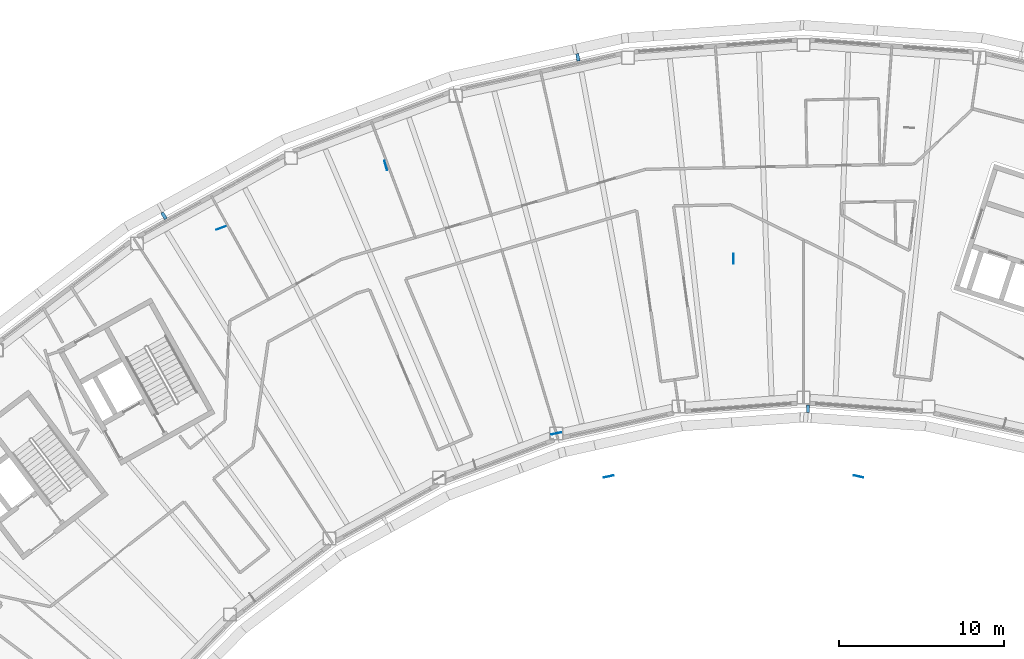
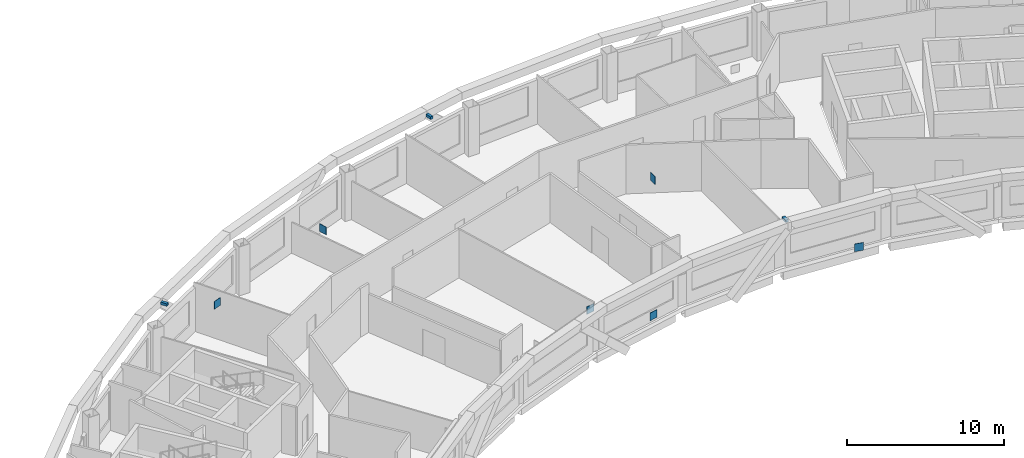
# One storey, part 14 of 21: 9 discrete accessories.
"""IFC4 building model written with IfcOpenShell, lengths in metres."""

from ifc_helpers import new_model, si_unit, direction, frame, origin, origin_2d, place, context, subcontext, project, spatial, rectangle, extrude, material, type_object, element, save


model = new_model("IFC4")

# Units and contexts
model_context = context("Model", 3, precision=1e-05, world=origin(), true_north=direction((0.0, 1.0)))
body_context = subcontext(model_context, "Body", "Model", "MODEL_VIEW")
ifc_project = project(units=[si_unit("LENGTHUNIT", "METRE"), si_unit("AREAUNIT", "SQUARE_METRE"), si_unit("VOLUMEUNIT", "CUBIC_METRE"), si_unit("PLANEANGLEUNIT", "RADIAN"), si_unit("MASSUNIT", "GRAM", prefix="KILO")], contexts=[model_context])

# Site, building, storey
site_placement = place(None, origin())
site = spatial("IfcSite", under=ifc_project, at=site_placement, CompositionType="ELEMENT")
building_placement = place(site_placement, origin())
building = spatial("IfcBuilding", under=site, at=building_placement, Name="Tuul Gate Civic Tower", CompositionType="ELEMENT")
storey_placement = place(building_placement, frame((0.0, 0.0, 273.60009765625)))
storey = spatial("IfcBuildingStorey", under=building, at=storey_placement, Name="Level 62", CompositionType="ELEMENT", Elevation=273.60009765625)

# Discrete accessories
ifc_material_1 = material(Name="Steel S355", Category="steel")
discrete_accessory_type_1 = type_object("IfcDiscreteAccessoryType", Name="Gusset plate", PredefinedType="BRACKET", material=ifc_material_1)
for number, where, z_axis, x_axis, name in (
    (1, (6.7880859375, 0.521484375, 2.79638671875), (0.0, 0.0, 1.0), (0.0, 1.0, 0.0), "Gusset plate"),
    (2, (-14.29052734375, 6.163330078125, 2.796630859375), (0.0, 0.0, 1.0), (0.285169103875, -0.958477220488, 0.0), "Gusset plate"),
    (3, (-24.276123046875, 2.38525390625, 2.796875), (0.0, 0.0, 1.0), (0.935355774535, 0.353708319162, 0.0), "Gusset plate"),
    (4, (14.360107421875, -12.6728515625, 2.796142578125), (0.0, 0.0, 1.0), (0.97656368755, -0.215228632292, 0.0), "Gusset plate"),
    (5, (-0.783935546875, -12.6728515625, 2.796142578125), (0.0, 0.0, 1.0), (-0.97656368755, -0.215228632292, 0.0), "Gusset plate"),
    (6, (-3.955322265625, -10.06396484375, 2.7958984375), (0.0, 0.0, 1.0), (0.97656368755, 0.215228632292, 0.0), "Gusset plate"),
):
    element("IfcDiscreteAccessory", number, at=place(storey_placement, frame(where, z_axis=z_axis, x_axis=x_axis)), inside=storey, type_object=discrete_accessory_type_1, Name=name, PredefinedType="BRACKET", context=body_context, shape_type="SweptSolid", body=[
        extrude(rectangle(XDim=0.60009765625, YDim=0.030029296875, at=origin_2d()), origin(), (0.0, 0.0, 1.0), 0.60009765625),
    ])
ifc_material_2 = material(Name="Stainless steel", Category="steel")
discrete_accessory_type_2 = type_object("IfcDiscreteAccessoryType", Name="Screen bracket", PredefinedType="BRACKET", material=ifc_material_2)
discrete_accessory_1_placement = place(storey_placement, frame((-2.651611328125, 12.725341796875, 3.75), z_axis=(0.0, 0.0, 1.0), x_axis=(-0.183860425898, 0.982952360895, 0.0)))
element("IfcDiscreteAccessory", 7, at=discrete_accessory_1_placement, inside=storey, type_object=discrete_accessory_type_2, Name="Screen bracket 11", PredefinedType="BRACKET", context=body_context, shape_type="SweptSolid", body=[
    extrude(rectangle(XDim=0.4501953125, YDim=0.199951171875, at=origin_2d()), origin(), (0.0, 0.0, 1.0), 0.199951171875),
])
discrete_accessory_2_placement = place(storey_placement, frame((-27.73583984375, 3.12939453125, 3.75), z_axis=(0.0, 0.0, 1.0), x_axis=(-0.520723574975, 0.853725341351, 0.0)))
element("IfcDiscreteAccessory", 8, at=discrete_accessory_2_placement, inside=storey, type_object=discrete_accessory_type_2, Name="Screen bracket 14", PredefinedType="BRACKET", context=body_context, shape_type="SweptSolid", body=[
    extrude(rectangle(XDim=0.450439453125, YDim=0.199951171875, at=origin_2d()), origin(), (0.0, 0.0, 1.0), 0.199951171875),
])
discrete_accessory_3_placement = place(storey_placement, frame((11.296142578125, -8.577880859375, 3.75), z_axis=(0.0, 0.0, 1.0), x_axis=(-0.005112047113, -0.999986933402, 0.0)))
element("IfcDiscreteAccessory", 9, at=discrete_accessory_3_placement, inside=storey, type_object=discrete_accessory_type_2, Name="Screen bracket 26", PredefinedType="BRACKET", context=body_context, shape_type="SweptSolid", body=[
    extrude(rectangle(XDim=0.450927734375, YDim=0.199951171875, at=origin_2d()), origin(), (0.0, 0.0, 1.0), 0.199951171875),
])

save(model, "model.ifc")
